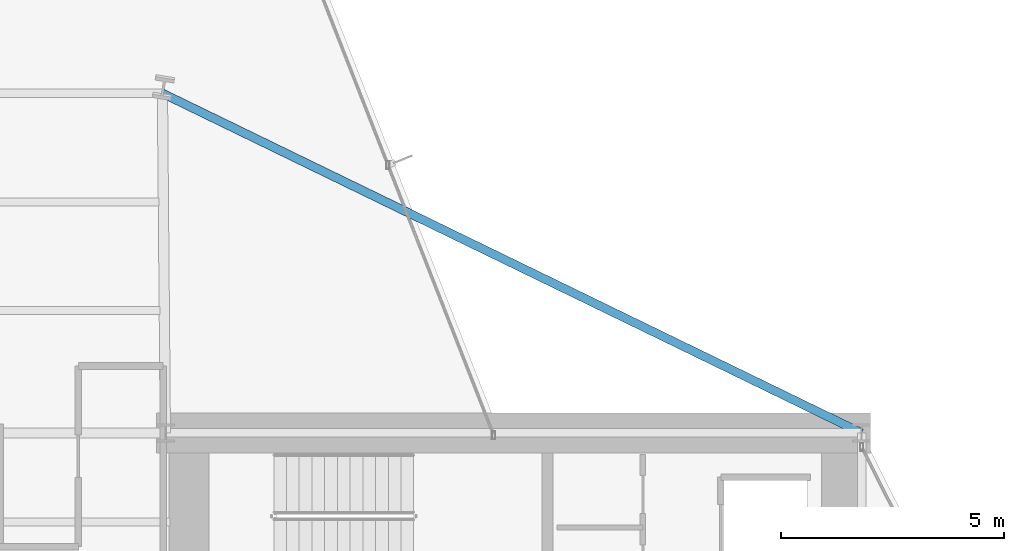
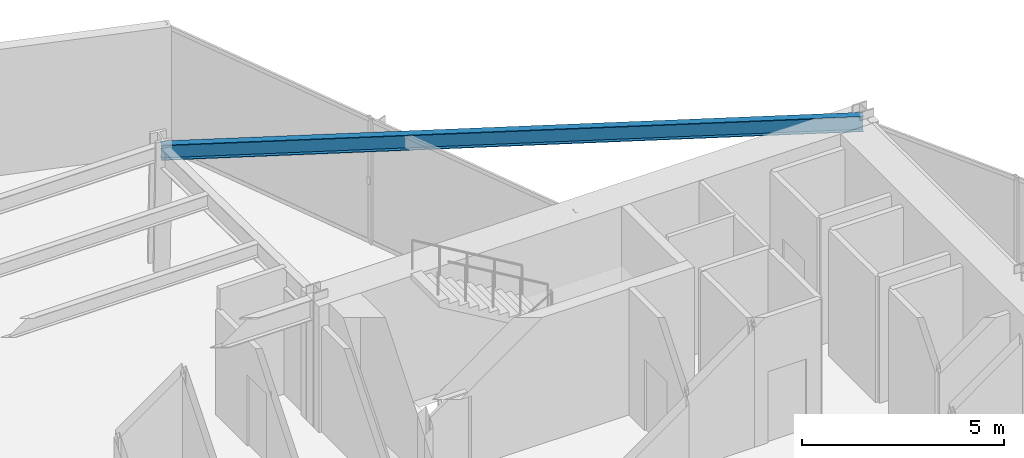
# One storey, part 21 of 29: 1 beam.
"""IFC4 building model written with IfcOpenShell, lengths in metres."""

from ifc_helpers import new_model, si_unit, direction, frame, origin, origin_2d, place, context, subcontext, project, spatial, i_section, extrude, material, material_profile, profile_set, type_object, element, save


model = new_model("IFC4")

# Units and contexts
model_context = context("Model", 3, precision=1e-05, world=origin(), true_north=direction((0.0, 1.0)))
body_context = subcontext(model_context, "Body", "Model", "MODEL_VIEW")
ifc_project = project(units=[si_unit("LENGTHUNIT", "METRE"), si_unit("AREAUNIT", "SQUARE_METRE"), si_unit("VOLUMEUNIT", "CUBIC_METRE"), si_unit("PLANEANGLEUNIT", "RADIAN"), si_unit("MASSUNIT", "GRAM", prefix="KILO")], contexts=[model_context])

# Site, building, storey
site_placement = place(None, origin())
site = spatial("IfcSite", under=ifc_project, at=site_placement, CompositionType="ELEMENT")
building_placement = place(site_placement, origin())
building = spatial("IfcBuilding", under=site, at=building_placement, Name="Veymaron Broadcast Tower", CompositionType="ELEMENT")
storey_placement = place(building_placement, frame((0.0, 0.0, 58.050048828125)))
storey = spatial("IfcBuildingStorey", under=building, at=storey_placement, Name="L12", CompositionType="ELEMENT", Elevation=58.050048828125)

# Beam
ifc_material = material(Name="Structural steel ASTM A992 Gr 50", Category="steel")
ifc_material_profile = material_profile(ifc_material, i_section(OverallWidth=0.19091796875, OverallDepth=0.4599609375, WebThickness=0.010009765625, FlangeThickness=0.01611328125, at=origin_2d()), Name="W460X82")
ifc_profile_set = profile_set([ifc_material_profile], Name="Structural steel ASTM A992 Gr 50")
beam_type = type_object("IfcBeamType", Name="BM-SP1", PredefinedType="SPANDREL", material=ifc_profile_set)
beam_placement = place(storey_placement, frame((54.60009765625, 32.0, 3.579833984375), z_axis=(-0.899477147295, 0.436967803727, 0.0), x_axis=(-0.436967803727, -0.899477147295, 0.0)))
element("IfcBeam", 1, at=beam_placement, inside=storey, type_object=beam_type, Name="L12 primary structural floor girder", PredefinedType="SPANDREL", context=body_context, shape_type="SweptSolid", body=[
    extrude(i_section(OverallWidth=0.19091796875, OverallDepth=0.4599609375, WebThickness=0.010009765625, FlangeThickness=0.01611328125, at=origin_2d()), origin(), (0.0, 0.0, 1.0), 17.415771484375),
])

save(model, "model.ifc")
